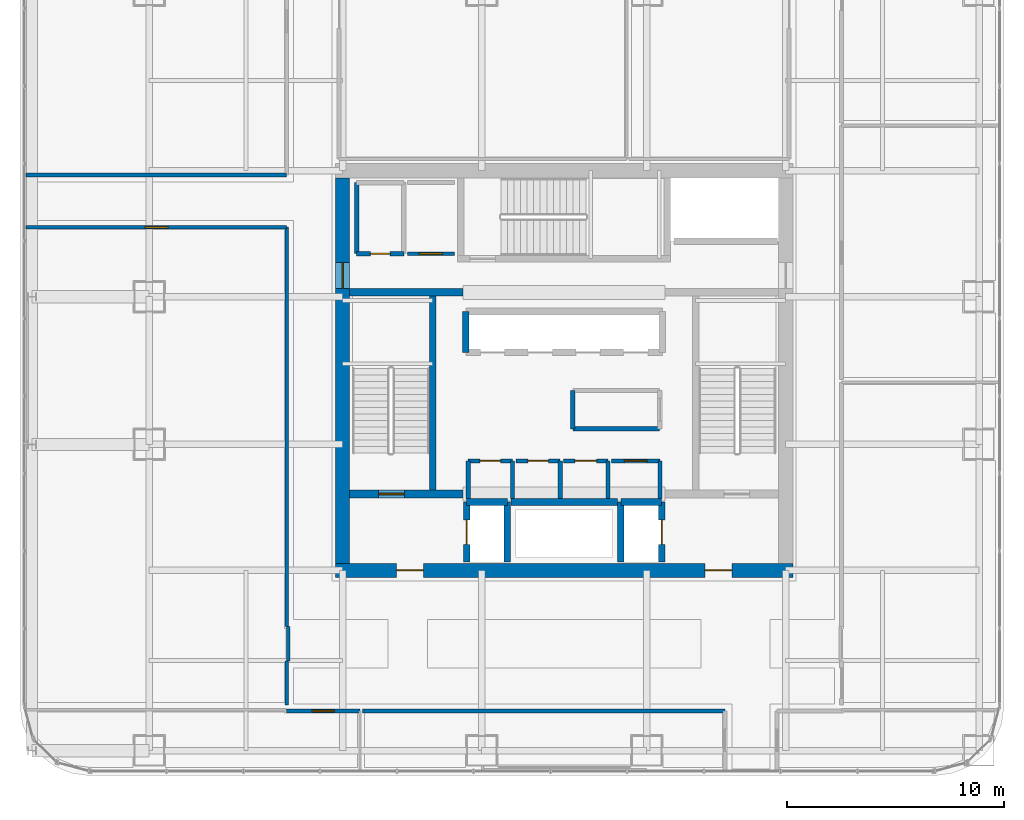
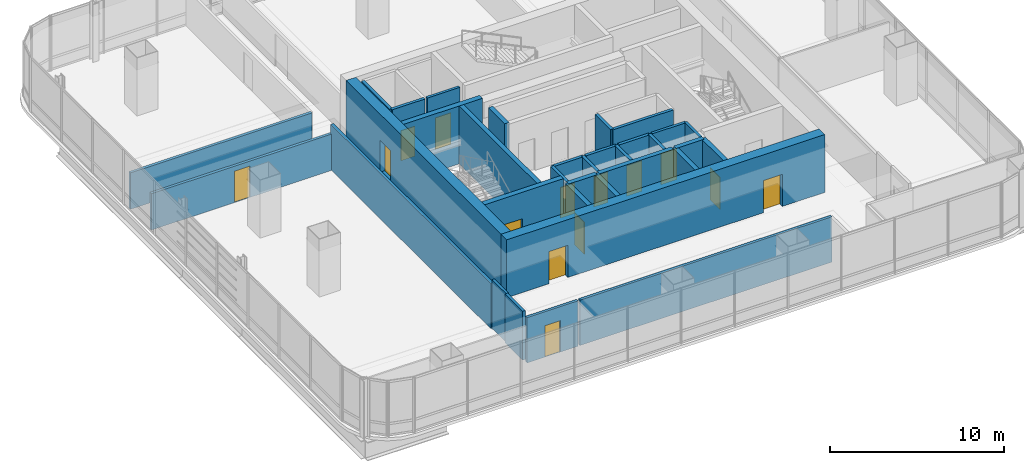
# One storey, part 30 of 38: 34 walls, 14 doors, 14 openings.
"""IFC4 building model written with IfcOpenShell, lengths in metres."""

import ifcopenshell
import ifcopenshell.guid

model = None  # the IFC model being written
_history = None  # IfcOwnerHistory: only IFC2X3 demands one
_inside = {}  # id of a spatial element -> (the spatial element, [elements in it])
_under = {}  # id of a project, library or spatial element -> (it, [spatial elements below it])
_declared = {}  # id of a project -> (the project, [libraries it declares])
_typed = {}  # id of a type object -> (the type object, [elements of that type])
_made_of = {}  # id of a material, layer set ... -> (it, [elements and type objects made of it])


def new_model(schema):
    """Start an empty IFC model of exactly this schema.

    Asked for "IFC4X3", IfcOpenShell would pick the latest addendum, in which some entities
    have other attributes; the version numbers below select the first issue.
    IFC2X3 requires an IfcOwnerHistory on every rooted entity: one is made here for all.
    """
    global model, _history
    if schema == "IFC4X3":
        model = ifcopenshell.file(schema_version=(4, 3, 0, 0))
    else:
        model = ifcopenshell.file(schema=schema)
    _inside.clear()
    _under.clear()
    _declared.clear()
    _typed.clear()
    _made_of.clear()
    _history = None
    if model.schema == "IFC2X3":
        org = make("IfcOrganization", Name="unknown")
        user = make(
            "IfcPersonAndOrganization",
            ThePerson=make("IfcPerson", FamilyName="unknown"),
            TheOrganization=org,
        )
        app = make(
            "IfcApplication",
            ApplicationDeveloper=org,
            Version="unknown",
            ApplicationFullName="unknown",
            ApplicationIdentifier="unknown",
        )
        _history = make(
            "IfcOwnerHistory",
            OwningUser=user,
            OwningApplication=app,
            ChangeAction="ADDED",
            CreationDate=0,
        )
    return model


def make(cls, **values):
    """One entity of the class cls with the attributes given. An attribute that is None is left unset."""
    return model.create_entity(
        cls, **{name: value for name, value in values.items() if value is not None}
    )


def rooted(cls, **values):
    """An entity with a GlobalId (a new one), such as an element, a storey or a relation."""
    return make(cls, GlobalId=ifcopenshell.guid.new(), OwnerHistory=_history, **values)


def si_unit(unit_type, name, prefix=None):
    """IfcSIUnit, for example si_unit("LENGTHUNIT", "METRE", prefix="MILLI")."""
    return make("IfcSIUnit", UnitType=unit_type, Prefix=prefix, Name=name)


def assignment(units):
    """IfcUnitAssignment: the units of a project."""
    return None if units is None else make("IfcUnitAssignment", Units=units)


def point(xyz):
    """IfcCartesianPoint."""
    return None if xyz is None else make("IfcCartesianPoint", Coordinates=xyz)


def direction(xyz):
    """IfcDirection."""
    return None if xyz is None else make("IfcDirection", DirectionRatios=xyz)


def frame(location, z_axis=None, x_axis=None):
    """IfcAxis2Placement3D, a coordinate frame: its origin and axes. An axis left out is left unset."""
    return make(
        "IfcAxis2Placement3D",
        Location=point(location),
        Axis=direction(z_axis),
        RefDirection=direction(x_axis),
    )


def frame_2d(location, x_axis=None):
    """IfcAxis2Placement2D, a coordinate frame in the plane: its origin and x axis."""
    return make(
        "IfcAxis2Placement2D", Location=point(location), RefDirection=direction(x_axis)
    )


def origin():
    """The frame at (0, 0, 0) with its axes left unset."""
    return frame((0.0, 0.0, 0.0))


def place(relative_to, where):
    """IfcLocalPlacement: puts the frame where relative to a parent placement (None: the world)."""
    return make(
        "IfcLocalPlacement", PlacementRelTo=relative_to, RelativePlacement=where
    )


def context(
    kind, dimensions, precision=None, world=None, true_north=None, identifier=None
):
    """IfcGeometricRepresentationContext, for example the 3D "Model" context."""
    return make(
        "IfcGeometricRepresentationContext",
        ContextIdentifier=identifier,
        ContextType=kind,
        CoordinateSpaceDimension=dimensions,
        Precision=precision,
        WorldCoordinateSystem=world,
        TrueNorth=true_north,
    )


def subcontext(parent, identifier, kind, view, scale=None):
    """IfcGeometricRepresentationSubContext, for example "Body" below "Model"."""
    return make(
        "IfcGeometricRepresentationSubContext",
        ContextIdentifier=identifier,
        ContextType=kind,
        ParentContext=parent,
        TargetScale=scale,
        TargetView=view,
    )


def project(units=None, contexts=None):
    """IfcProject with its units and contexts."""
    return rooted(
        "IfcProject",
        Name="project",
        RepresentationContexts=contexts,
        UnitsInContext=assignment(units),
    )


def spatial(cls, under=None, at=None, **own):
    """A site, building, storey or space (cls), placed at a placement, below another one or the project."""
    s = rooted(cls, ObjectPlacement=at, **own)
    if under is not None:
        _under.setdefault(under.id(), (under, []))[1].append(s)
    return s


def profile(cls, at=None, kind="AREA", **sizes):
    """A parametric profile (cls). Its sizes go by their IFC names, for example OverallWidth=200.0."""
    return make(cls, ProfileType=kind, Position=at, **sizes)


def rectangle(**sizes):
    """IfcRectangleProfileDef."""
    return profile("IfcRectangleProfileDef", **sizes)


def extrude(swept, where, along, depth):
    """IfcExtrudedAreaSolid: the profile swept, set in the frame where, extruded along a direction by depth."""
    return make(
        "IfcExtrudedAreaSolid",
        SweptArea=swept,
        Position=where,
        ExtrudedDirection=direction(along),
        Depth=depth,
    )


def shape(context_of_items, identifier, shape_type, items):
    """IfcShapeRepresentation: the items that make up one representation, for example the "Body"."""
    return make(
        "IfcShapeRepresentation",
        ContextOfItems=context_of_items,
        RepresentationIdentifier=identifier,
        RepresentationType=shape_type,
        Items=items,
    )


def material(Name=None, Category=None):
    """IfcMaterial."""
    return make("IfcMaterial", Name=Name, Category=Category)


def layer(
    of_material, thickness, ventilated=None, Name=None, Category=None, Priority=None
):
    """IfcMaterialLayer: one layer of a wall or slab, of a material (None: an air gap)."""
    return make(
        "IfcMaterialLayer",
        Material=of_material,
        LayerThickness=thickness,
        IsVentilated=ventilated,
        Name=Name,
        Category=Category,
        Priority=Priority,
    )


def layer_set(layers, Name=None):
    """IfcMaterialLayerSet."""
    return make("IfcMaterialLayerSet", MaterialLayers=layers, LayerSetName=Name)


def made_of(thing, what):
    """Note that an element or type object is made of a material, layer set ...; save() writes the relation."""
    if what is not None:
        _made_of.setdefault(what.id(), (what, []))[1].append(thing)
    return thing


def type_object(cls, material=None, **own):
    """A type object (cls), such as IfcWallType, which elements share."""
    return made_of(rooted(cls, **own), material)


def element(
    cls,
    number,
    at=None,
    inside=None,
    cuts=None,
    type_object=None,
    material=None,
    context=None,
    identifier="Body",
    shape_type=None,
    held_by="IfcProductDefinitionShape",
    body=None,
    shapes=None,
    **own,
):
    """One element of the class cls, such as IfcWall. Its Tag is "e" and its number.

    at: its placement. inside: the storey or other place that contains it. cuts: it is an
    opening in that element (IfcRelVoidsElement). A single representation is given by context,
    identifier, shape_type and body (its items); several are given by shapes. held_by: the class
    of the entity that holds the representations. save() writes the other relations.
    """
    e = rooted(cls, Tag="e%d" % number, ObjectPlacement=at, **own)
    if body is not None:
        shapes = [shape(context, identifier, shape_type, body)]
    if shapes is not None:
        e.Representation = make(held_by, Representations=shapes)
    if inside is not None:
        _inside.setdefault(inside.id(), (inside, []))[1].append(e)
    if cuts is not None:
        rooted(
            "IfcRelVoidsElement", RelatingBuildingElement=cuts, RelatedOpeningElement=e
        )
    if type_object is not None:
        _typed.setdefault(type_object.id(), (type_object, []))[1].append(e)
    return made_of(e, material)


def fill(opening, filler):
    """IfcRelFillsElement: the door or window that sits in an opening."""
    return rooted(
        "IfcRelFillsElement",
        RelatingOpeningElement=opening,
        RelatedBuildingElement=filler,
    )


def aggregate(whole, parts):
    """IfcRelAggregates: a whole, such as a stair, and the parts it consists of."""
    return rooted("IfcRelAggregates", RelatingObject=whole, RelatedObjects=parts)


def save(model, path):
    """Write the relations noted so far, then the file.

    IfcRelAggregates (storeys below a building ...), IfcRelContainedInSpatialStructure (elements
    in a storey), IfcRelDefinesByType, IfcRelAssociatesMaterial and IfcRelDeclares: one each for
    every whole, place, type object, material and project.
    """
    for whole, parts in _under.values():
        aggregate(whole, parts)
    for where, things in _inside.values():
        rooted(
            "IfcRelContainedInSpatialStructure",
            RelatedElements=things,
            RelatingStructure=where,
        )
    for kind, things in _typed.values():
        rooted("IfcRelDefinesByType", RelatedObjects=things, RelatingType=kind)
    for what, things in _made_of.values():
        rooted("IfcRelAssociatesMaterial", RelatedObjects=things, RelatingMaterial=what)
    for by, libraries in _declared.values():
        rooted("IfcRelDeclares", RelatingContext=by, RelatedDefinitions=libraries)
    model.write(path)


model = new_model("IFC4")

# Units and contexts
model_context = context("Model", 3, precision=1e-05, world=origin(), true_north=direction((0.0, 1.0)))
body_context = subcontext(model_context, "Body", "Model", "MODEL_VIEW")
ifc_project = project(units=[si_unit("LENGTHUNIT", "METRE"), si_unit("AREAUNIT", "SQUARE_METRE"), si_unit("VOLUMEUNIT", "CUBIC_METRE"), si_unit("PLANEANGLEUNIT", "RADIAN"), si_unit("MASSUNIT", "GRAM", prefix="KILO")], contexts=[model_context])

# Site, building, storey
site_placement = place(None, origin())
site = spatial("IfcSite", under=ifc_project, at=site_placement, CompositionType="ELEMENT")
building_placement = place(site_placement, origin())
building = spatial("IfcBuilding", under=site, at=building_placement, Name="Punatoya Terracotta Tower", CompositionType="ELEMENT")
storey_placement = place(building_placement, frame((0.0, 0.0, 160.050048828125)))
storey = spatial("IfcBuildingStorey", under=building, at=storey_placement, Name="L37", CompositionType="ELEMENT", Elevation=160.050048828125)

# Wall, openings, doors
ifc_material_1 = material(Name="Concrete C60/75", Category="concrete")
ifc_layer_1 = layer(ifc_material_1, 0.64990234375)
ifc_layer_set_1 = layer_set([ifc_layer_1], Name="Concrete C60/75")
wall_type_1 = type_object("IfcWallType", Name="WL-COR-650", PredefinedType="SHEAR", material=ifc_layer_set_1)
wall_1_placement = place(storey_placement, frame((10.52490234375, -9.199951171875, 0.0), z_axis=(0.0, 0.0, 1.0), x_axis=(-1.0, 0.0, 0.0)))
wall_1 = element("IfcWall", 1, at=wall_1_placement, inside=storey, type_object=wall_type_1, Name="L37 Core Shear Wall S", PredefinedType="SHEAR", context=body_context, shape_type="SweptSolid", body=[
    extrude(rectangle(XDim=21.0498046875, YDim=0.64990234375, at=frame_2d((10.52490234375, 0.0))), origin(), (0.0, 0.0, 1.0), 4.050048828125),
])
opening_1_placement = place(wall_1_placement, frame((2.800048828125, 0.0, 0.0)))
opening_1 = element("IfcOpeningElement", 2, at=opening_1_placement, cuts=wall_1, Name="Opening FD-L1", PredefinedType="OPENING", context=body_context, shape_type="SweptSolid", body=[
    extrude(rectangle(XDim=1.25, YDim=2.25, at=frame_2d((0.625, 1.125))), frame((0.0, 0.3349609375, 0.0), z_axis=(0.0, -1.0, 0.0), x_axis=(1.0, 0.0, 0.0)), (0.0, 0.0, 1.0), 0.669921875),
])
opening_2_placement = place(wall_1_placement, frame((17.0, 0.0, 0.0)))
opening_2 = element("IfcOpeningElement", 3, at=opening_2_placement, cuts=wall_1, Name="Opening FD-L1", PredefinedType="OPENING", context=body_context, shape_type="SweptSolid", body=[
    extrude(rectangle(XDim=1.25, YDim=2.25, at=frame_2d((0.625, 1.125))), frame((0.0, 0.3349609375, 0.0), z_axis=(0.0, -1.0, 0.0), x_axis=(1.0, 0.0, 0.0)), (0.0, 0.0, 1.0), 0.669921875),
])
ifc_material_2 = material(Name="Galvanised Steel Smokeproof Fire Door", Category="steel")
door_type_1 = type_object("IfcDoorType", Name="DR-FFL-1250", OperationType="NOTDEFINED", PredefinedType="DOOR", material=ifc_material_2)
door_1_placement = place(opening_1_placement, origin())
door_1 = element("IfcDoor", 4, at=door_1_placement, inside=storey, type_object=door_type_1, Name="L37 East Firefighting Lobby Corridor Fire Door", OperationType="SINGLE_SWING_LEFT", OverallHeight=2.25, OverallWidth=1.25, PredefinedType="DOOR", context=body_context, shape_type="SweptSolid", body=[
    extrude(rectangle(XDim=1.25, YDim=2.25, at=frame_2d((0.625, 1.125))), frame((0.0, 0.02490234375, 0.0), z_axis=(0.0, -1.0, 0.0), x_axis=(1.0, 0.0, 0.0)), (0.0, 0.0, 1.0), 0.050048828125),
])
fill(opening_1, door_1)
door_2_placement = place(opening_2_placement, origin())
door_2 = element("IfcDoor", 5, at=door_2_placement, inside=storey, type_object=door_type_1, Name="L37 West Firefighting Lobby Corridor Fire Door", OperationType="SINGLE_SWING_RIGHT", OverallHeight=2.25, OverallWidth=1.25, PredefinedType="DOOR", context=body_context, shape_type="SweptSolid", body=[
    extrude(rectangle(XDim=1.25, YDim=2.25, at=frame_2d((0.625, 1.125))), frame((0.0, 0.02490234375, 0.0), z_axis=(0.0, -1.0, 0.0), x_axis=(1.0, 0.0, 0.0)), (0.0, 0.0, 1.0), 0.050048828125),
])
fill(opening_2, door_2)

# Wall, opening, door
wall_2_placement = place(storey_placement, frame((-10.199951171875, -8.875, 0.0), z_axis=(0.0, 0.0, 1.0), x_axis=(0.0, 1.0, 0.0)))
wall_2 = element("IfcWall", 6, at=wall_2_placement, inside=storey, type_object=wall_type_1, Name="L37 Core Shear Wall W", PredefinedType="SHEAR", context=body_context, shape_type="SweptSolid", body=[
    extrude(rectangle(XDim=17.75, YDim=0.64990234375, at=frame_2d((8.875, 0.0))), origin(), (0.0, 0.0, 1.0), 4.050048828125),
])
opening_3_placement = place(wall_2_placement, frame((12.6650390625, 0.0, 0.0)))
opening_3 = element("IfcOpeningElement", 7, at=opening_3_placement, cuts=wall_2, Name="Opening SD-01", PredefinedType="OPENING", context=body_context, shape_type="SweptSolid", body=[
    extrude(rectangle(XDim=1.179931640625, YDim=2.199951171875, at=frame_2d((0.58984375, 1.10009765625))), frame((0.0, 0.3349609375, 0.0), z_axis=(0.0, -1.0, 0.0), x_axis=(1.0, 0.0, 0.0)), (0.0, 0.0, 1.0), 0.669921875),
])
ifc_material_3 = material(Name="Galvanised Steel Pressurized Stair Fire Door", Category="steel")
door_type_2 = type_object("IfcDoorType", Name="DR-STR-1180", OperationType="NOTDEFINED", PredefinedType="DOOR", material=ifc_material_3)
door_3_placement = place(opening_3_placement, origin())
door_3 = element("IfcDoor", 8, at=door_3_placement, inside=storey, type_object=door_type_2, Name="L37 Central Lift Lobby West Fire Door", OperationType="SINGLE_SWING_LEFT", OverallHeight=2.199951171875, OverallWidth=1.179931640625, PredefinedType="DOOR", context=body_context, shape_type="SweptSolid", body=[
    extrude(rectangle(XDim=1.179931640625, YDim=2.199951171875, at=frame_2d((0.58984375, 1.10009765625))), frame((0.0, 0.02490234375, 0.0), z_axis=(0.0, -1.0, 0.0), x_axis=(1.0, 0.0, 0.0)), (0.0, 0.0, 1.0), 0.050048828125),
])
fill(opening_3, door_3)

# Wall
ifc_material_4 = material(Name="Gypsum Fireboard + Steel Stud", Category="steel")
ifc_layer_2 = layer(ifc_material_4, 0.179931640625)
ifc_layer_set_2 = layer_set([ifc_layer_2], Name="Gypsum Fireboard + Steel Stud")
wall_type_2 = type_object("IfcWallType", Name="WL-CORR-180", PredefinedType="PARTITIONING", material=ifc_layer_set_2)
wall_3_placement = place(storey_placement, frame((4.419921875, -5.89990234375, 0.0), z_axis=(0.0, 0.0, 1.0), x_axis=(0.0, 1.0, 0.0)))
element("IfcWall", 9, at=wall_3_placement, inside=storey, type_object=wall_type_2, Name="L37 Core Reprographics Studio Partition 08", PredefinedType="PARTITIONING", context=body_context, shape_type="SweptSolid", body=[
    extrude(rectangle(XDim=1.739990234375, YDim=0.179931640625, at=frame_2d((0.8701171875, 0.0))), origin(), (0.0, 0.0, 1.0), 3.829833984375),
])

# Wall, opening, door
wall_4_placement = place(storey_placement, frame((4.419921875, -4.159912109375, 0.0), z_axis=(0.0, 0.0, 1.0), x_axis=(-1.0, 0.0, 0.0)))
wall_4 = element("IfcWall", 10, at=wall_4_placement, inside=storey, type_object=wall_type_2, Name="L37 Core Reprographics Studio Partition 09", PredefinedType="PARTITIONING", context=body_context, shape_type="SweptSolid", body=[
    extrude(rectangle(XDim=2.239990234375, YDim=0.179931640625, at=frame_2d((1.1201171875, 0.0))), origin(), (0.0, 0.0, 1.0), 3.829833984375),
])
opening_4_placement = place(wall_4_placement, frame((0.594970703125, 0.0, 0.0)))
opening_4 = element("IfcOpeningElement", 11, at=opening_4_placement, cuts=wall_4, Name="Opening OD-01", PredefinedType="OPENING", context=body_context, shape_type="SweptSolid", body=[
    extrude(rectangle(XDim=1.050048828125, YDim=2.199951171875, at=frame_2d((0.52490234375, 1.10009765625))), frame((0.0, 0.099853515625, 0.0), z_axis=(0.0, -1.0, 0.0), x_axis=(1.0, 0.0, 0.0)), (0.0, 0.0, 1.0), 0.199951171875),
])
ifc_material_5 = material(Name="Bengal Teak Solid-Core Leaf")
door_type_3 = type_object("IfcDoorType", Name="DR-OFF-1050", OperationType="NOTDEFINED", PredefinedType="DOOR", material=ifc_material_5)
door_4_placement = place(opening_4_placement, origin())
door_4 = element("IfcDoor", 12, at=door_4_placement, inside=storey, type_object=door_type_3, Name="L37 Reprographics Studio Door", OperationType="SINGLE_SWING_LEFT", OverallHeight=2.199951171875, OverallWidth=1.050048828125, PredefinedType="DOOR", context=body_context, shape_type="SweptSolid", body=[
    extrude(rectangle(XDim=1.050048828125, YDim=2.199951171875, at=frame_2d((0.52490234375, 1.10009765625))), frame((0.0, 0.02490234375, 0.0), z_axis=(0.0, -1.0, 0.0), x_axis=(1.0, 0.0, 0.0)), (0.0, 0.0, 1.0), 0.050048828125),
])
fill(opening_4, door_4)

wall_5_placement = place(storey_placement, frame((-7.219970703125, 5.3798828125, 0.0), z_axis=(0.0, 0.0, 1.0), x_axis=(1.0, 0.0, 0.0)))
wall_5 = element("IfcWall", 13, at=wall_5_placement, inside=storey, type_object=wall_type_2, Name="L37 West Core Print Room Partition 19", PredefinedType="PARTITIONING", context=body_context, shape_type="SweptSolid", body=[
    extrude(rectangle(XDim=2.169921875, YDim=0.179931640625, at=frame_2d((1.0849609375, 0.0))), origin(), (0.0, 0.0, 1.0), 3.829833984375),
])
opening_5_placement = place(wall_5_placement, frame((0.56005859375, 0.0, 0.0)))
opening_5 = element("IfcOpeningElement", 14, at=opening_5_placement, cuts=wall_5, Name="Opening OD-01", PredefinedType="OPENING", context=body_context, shape_type="SweptSolid", body=[
    extrude(rectangle(XDim=1.050048828125, YDim=2.199951171875, at=frame_2d((0.52490234375, 1.10009765625))), frame((0.0, 0.099853515625, 0.0), z_axis=(0.0, -1.0, 0.0), x_axis=(1.0, 0.0, 0.0)), (0.0, 0.0, 1.0), 0.199951171875),
])
door_5_placement = place(opening_5_placement, origin())
door_5 = element("IfcDoor", 15, at=door_5_placement, inside=storey, type_object=door_type_3, Name="L37 West Print Room Door", OperationType="SINGLE_SWING_RIGHT", OverallHeight=2.199951171875, OverallWidth=1.050048828125, PredefinedType="DOOR", context=body_context, shape_type="SweptSolid", body=[
    extrude(rectangle(XDim=1.050048828125, YDim=2.199951171875, at=frame_2d((0.52490234375, 1.10009765625))), frame((0.0, 0.02490234375, 0.0), z_axis=(0.0, -1.0, 0.0), x_axis=(1.0, 0.0, 0.0)), (0.0, 0.0, 1.0), 0.050048828125),
])
fill(opening_5, door_5)

wall_6_placement = place(storey_placement, frame((-12.77001953125, -15.669921875, 0.0), z_axis=(0.0, 0.0, 1.0), x_axis=(1.0, 0.0, 0.0)))
wall_6 = element("IfcWall", 16, at=wall_6_placement, inside=storey, type_object=wall_type_2, Name="L37 Open-Plan Plenary Seminar Room Partition 21", PredefinedType="PARTITIONING", context=body_context, shape_type="SweptSolid", body=[
    extrude(rectangle(XDim=3.364990234375, YDim=0.179931640625, at=frame_2d((1.6826171875, 0.0))), origin(), (0.0, 0.0, 1.0), 3.174072265625),
])
opening_6_placement = place(wall_6_placement, frame((1.172607421875, 0.0, 0.0)))
opening_6 = element("IfcOpeningElement", 17, at=opening_6_placement, cuts=wall_6, Name="Opening MD-01", PredefinedType="OPENING", context=body_context, shape_type="SweptSolid", body=[
    extrude(rectangle(XDim=1.02001953125, YDim=2.199951171875, at=frame_2d((0.510009765625, 1.10009765625))), frame((0.0, 0.099853515625, 0.0), z_axis=(0.0, -1.0, 0.0), x_axis=(1.0, 0.0, 0.0)), (0.0, 0.0, 1.0), 0.199951171875),
])
ifc_material_6 = material(Name="Aluminium + Acoustic Glass Leaf", Category="aluminium")
door_type_4 = type_object("IfcDoorType", Name="DR-MTG-1020", OperationType="NOTDEFINED", PredefinedType="DOOR", material=ifc_material_6)
door_6_placement = place(opening_6_placement, origin())
door_6 = element("IfcDoor", 18, at=door_6_placement, inside=storey, type_object=door_type_4, Name="L37 Open-Plan Plenary Seminar Room Door", OperationType="SINGLE_SWING_LEFT", OverallHeight=2.199951171875, OverallWidth=1.02001953125, PredefinedType="DOOR", context=body_context, shape_type="SweptSolid", body=[
    extrude(rectangle(XDim=1.02001953125, YDim=2.199951171875, at=frame_2d((0.510009765625, 1.10009765625))), frame((0.0, 0.02490234375, 0.0), z_axis=(0.0, -1.0, 0.0), x_axis=(1.0, 0.0, 0.0)), (0.0, 0.0, 1.0), 0.050048828125),
])
fill(opening_6, door_6)

# Wall
wall_7_placement = place(storey_placement, frame((-9.284912109375, -15.669921875, 0.0), z_axis=(0.0, 0.0, 1.0), x_axis=(1.0, 0.0, 0.0)))
element("IfcWall", 19, at=wall_7_placement, inside=storey, type_object=wall_type_2, Name="L37 Open-Plan Client Strategy Boardroom Partition 24", PredefinedType="PARTITIONING", context=body_context, shape_type="SweptSolid", body=[
    extrude(rectangle(XDim=16.684814453125, YDim=0.179931640625, at=frame_2d((8.34228515625, 0.0))), origin(), (0.0, 0.0, 1.0), 3.174072265625),
])

# Wall, opening, door
wall_8_placement = place(storey_placement, frame((-24.77001953125, 6.60009765625, 0.0), z_axis=(0.0, 0.0, 1.0), x_axis=(1.0, 0.0, 0.0)))
wall_8 = element("IfcWall", 20, at=wall_8_placement, inside=storey, type_object=wall_type_2, Name="L37 Breakout Tea Pantry Partition 32", PredefinedType="PARTITIONING", context=body_context, shape_type="SweptSolid", body=[
    extrude(rectangle(XDim=12.0, YDim=0.179931640625, at=frame_2d((6.0, 0.0))), origin(), (0.0, 0.0, 1.0), 2.5439453125),
])
opening_7_placement = place(wall_8_placement, frame((5.47509765625, 0.0, 0.0)))
opening_7 = element("IfcOpeningElement", 21, at=opening_7_placement, cuts=wall_8, Name="Opening OD-01", PredefinedType="OPENING", context=body_context, shape_type="SweptSolid", body=[
    extrude(rectangle(XDim=1.050048828125, YDim=2.199951171875, at=frame_2d((0.52490234375, 1.10009765625))), frame((0.0, 0.099853515625, 0.0), z_axis=(0.0, -1.0, 0.0), x_axis=(1.0, 0.0, 0.0)), (0.0, 0.0, 1.0), 0.199951171875),
])
door_7_placement = place(opening_7_placement, origin())
door_7 = element("IfcDoor", 22, at=door_7_placement, inside=storey, type_object=door_type_3, Name="L37 Breakout Tea Pantry Door", OperationType="SINGLE_SWING_LEFT", OverallHeight=2.199951171875, OverallWidth=1.050048828125, PredefinedType="DOOR", context=body_context, shape_type="SweptSolid", body=[
    extrude(rectangle(XDim=1.050048828125, YDim=2.199951171875, at=frame_2d((0.52490234375, 1.10009765625))), frame((0.0, 0.02490234375, 0.0), z_axis=(0.0, -1.0, 0.0), x_axis=(1.0, 0.0, 0.0)), (0.0, 0.0, 1.0), 0.050048828125),
])
fill(opening_7, door_7)

# Walls
wall_9_placement = place(storey_placement, frame((-12.77001953125, 6.60009765625, 0.0), z_axis=(0.0, 0.0, 1.0), x_axis=(0.0, -1.0, 0.0)))
element("IfcWall", 23, at=wall_9_placement, inside=storey, type_object=wall_type_2, Name="L37 Breakout Tea Pantry Partition 33", PredefinedType="PARTITIONING", context=body_context, shape_type="SweptSolid", body=[
    extrude(rectangle(XDim=18.3701171875, YDim=0.179931640625, at=frame_2d((9.18505859375, 0.0))), origin(), (0.0, 0.0, 1.0), 3.174072265625),
])
wall_10_placement = place(storey_placement, frame((-12.77001953125, -13.3798828125, 0.0), z_axis=(0.0, 0.0, 1.0), x_axis=(0.0, -1.0, 0.0)))
element("IfcWall", 24, at=wall_10_placement, inside=storey, type_object=wall_type_2, Name="L37 Breakout Tea Pantry Partition 35", PredefinedType="PARTITIONING", context=body_context, shape_type="SweptSolid", body=[
    extrude(rectangle(XDim=2.010009765625, YDim=0.179931640625, at=frame_2d((1.0048828125, 0.0))), origin(), (0.0, 0.0, 1.0), 3.424072265625),
])
wall_11_placement = place(storey_placement, frame((-12.77001953125, 9.0, 0.0), z_axis=(0.0, 0.0, 1.0), x_axis=(-1.0, 0.0, 0.0)))
element("IfcWall", 25, at=wall_11_placement, inside=storey, type_object=wall_type_2, Name="L37 Wellness Focus Room Partition 39", PredefinedType="PARTITIONING", context=body_context, shape_type="SweptSolid", body=[
    extrude(rectangle(XDim=12.0, YDim=0.179931640625, at=frame_2d((6.0, 0.0))), origin(), (0.0, 0.0, 1.0), 2.5439453125),
])
ifc_material_7 = material(Name="Concrete C40/50", Category="concrete")
ifc_layer_3 = layer(ifc_material_7, 0.199951171875)
ifc_layer_set_3 = layer_set([ifc_layer_3], Name="Concrete C40/50")
wall_type_3 = type_object("IfcWallType", Name="WL-INT-200", PredefinedType="SOLIDWALL", material=ifc_layer_set_3)
wall_12_placement = place(storey_placement, frame((-2.3798828125, -5.89990234375, 0.0), z_axis=(0.0, 0.0, 1.0), x_axis=(0.0, 1.0, 0.0)))
element("IfcWall", 26, at=wall_12_placement, inside=storey, type_object=wall_type_3, Name="L37 Male Washroom Partition 01", PredefinedType="SOLIDWALL", context=body_context, shape_type="SweptSolid", body=[
    extrude(rectangle(XDim=1.739990234375, YDim=0.199951171875, at=frame_2d((0.8701171875, 0.0))), origin(), (0.0, 0.0, 1.0), 3.829833984375),
])

# Wall, opening, door
wall_13_placement = place(storey_placement, frame((-2.3798828125, -4.159912109375, 0.0), z_axis=(0.0, 0.0, 1.0), x_axis=(-1.0, 0.0, 0.0)))
wall_13 = element("IfcWall", 27, at=wall_13_placement, inside=storey, type_object=wall_type_3, Name="L37 Male Washroom Partition 02", PredefinedType="SOLIDWALL", context=body_context, shape_type="SweptSolid", body=[
    extrude(rectangle(XDim=2.0400390625, YDim=0.199951171875, at=frame_2d((1.02001953125, 0.0))), origin(), (0.0, 0.0, 1.0), 3.829833984375),
])
opening_8_placement = place(wall_13_placement, frame((0.544921875, 0.0, 0.0)))
opening_8 = element("IfcOpeningElement", 28, at=opening_8_placement, cuts=wall_13, Name="Opening WD-01", PredefinedType="OPENING", context=body_context, shape_type="SweptSolid", body=[
    extrude(rectangle(XDim=0.949951171875, YDim=2.14990234375, at=frame_2d((0.47509765625, 1.074951171875))), frame((0.0, 0.10986328125, 0.0), z_axis=(0.0, -1.0, 0.0), x_axis=(1.0, 0.0, 0.0)), (0.0, 0.0, 1.0), 0.219970703125),
])
ifc_material_8 = material(Name="Moisture-Resistant Laminate Timber Leaf", Category="wood")
door_type_5 = type_object("IfcDoorType", Name="DR-WC-950", OperationType="NOTDEFINED", PredefinedType="DOOR", material=ifc_material_8)
door_8_placement = place(opening_8_placement, origin())
door_8 = element("IfcDoor", 29, at=door_8_placement, inside=storey, type_object=door_type_5, Name="L37 Male Washroom Door", OperationType="SINGLE_SWING_RIGHT", OverallHeight=2.14990234375, OverallWidth=0.949951171875, PredefinedType="DOOR", context=body_context, shape_type="SweptSolid", body=[
    extrude(rectangle(XDim=0.949951171875, YDim=2.14990234375, at=frame_2d((0.47509765625, 1.074951171875))), frame((0.0, 0.02490234375, 0.0), z_axis=(0.0, -1.0, 0.0), x_axis=(1.0, 0.0, 0.0)), (0.0, 0.0, 1.0), 0.050048828125),
])
fill(opening_8, door_8)

# Walls
for number, where, z_axis, x_axis, name in (
    (30, (-4.419921875, -4.159912109375, 0.0), (0.0, 0.0, 1.0), (0.0, -1.0, 0.0), "L37 Male Washroom Partition 03"),
    (31, (-0.179931640625, -5.89990234375, 0.0), (0.0, 0.0, 1.0), (0.0, 1.0, 0.0), "L37 Female Washroom Partition 04"),
):
    element("IfcWall", number, at=place(storey_placement, frame(where, z_axis=z_axis, x_axis=x_axis)), inside=storey, type_object=wall_type_3, Name=name, PredefinedType="SOLIDWALL", context=body_context, shape_type="SweptSolid", body=[
        extrude(rectangle(XDim=1.739990234375, YDim=0.199951171875, at=frame_2d((0.8701171875, 0.0))), origin(), (0.0, 0.0, 1.0), 3.829833984375),
    ])

# Wall, opening, door
wall_14_placement = place(storey_placement, frame((-0.179931640625, -4.159912109375, 0.0), z_axis=(0.0, 0.0, 1.0), x_axis=(-1.0, 0.0, 0.0)))
wall_14 = element("IfcWall", 32, at=wall_14_placement, inside=storey, type_object=wall_type_3, Name="L37 Female Washroom Partition 05", PredefinedType="SOLIDWALL", context=body_context, shape_type="SweptSolid", body=[
    extrude(rectangle(XDim=2.0400390625, YDim=0.199951171875, at=frame_2d((1.02001953125, 0.0))), origin(), (0.0, 0.0, 1.0), 3.829833984375),
])
opening_9_placement = place(wall_14_placement, frame((0.544921875, 0.0, 0.0)))
opening_9 = element("IfcOpeningElement", 33, at=opening_9_placement, cuts=wall_14, Name="Opening WD-01", PredefinedType="OPENING", context=body_context, shape_type="SweptSolid", body=[
    extrude(rectangle(XDim=0.949951171875, YDim=2.14990234375, at=frame_2d((0.47509765625, 1.074951171875))), frame((0.0, 0.10986328125, 0.0), z_axis=(0.0, -1.0, 0.0), x_axis=(1.0, 0.0, 0.0)), (0.0, 0.0, 1.0), 0.219970703125),
])
door_9_placement = place(opening_9_placement, origin())
door_9 = element("IfcDoor", 34, at=door_9_placement, inside=storey, type_object=door_type_5, Name="L37 Female Washroom Door", OperationType="SINGLE_SWING_LEFT", OverallHeight=2.14990234375, OverallWidth=0.949951171875, PredefinedType="DOOR", context=body_context, shape_type="SweptSolid", body=[
    extrude(rectangle(XDim=0.949951171875, YDim=2.14990234375, at=frame_2d((0.47509765625, 1.074951171875))), frame((0.0, 0.02490234375, 0.0), z_axis=(0.0, -1.0, 0.0), x_axis=(1.0, 0.0, 0.0)), (0.0, 0.0, 1.0), 0.050048828125),
])
fill(opening_9, door_9)

# Wall
wall_15_placement = place(storey_placement, frame((2.02001953125, -5.89990234375, 0.0), z_axis=(0.0, 0.0, 1.0), x_axis=(0.0, 1.0, 0.0)))
element("IfcWall", 35, at=wall_15_placement, inside=storey, type_object=wall_type_3, Name="L37 Accessible Universal Washroom Partition 06", PredefinedType="SOLIDWALL", context=body_context, shape_type="SweptSolid", body=[
    extrude(rectangle(XDim=1.739990234375, YDim=0.199951171875, at=frame_2d((0.8701171875, 0.0))), origin(), (0.0, 0.0, 1.0), 3.829833984375),
])

# Wall, opening, door
wall_16_placement = place(storey_placement, frame((2.02001953125, -4.159912109375, 0.0), z_axis=(0.0, 0.0, 1.0), x_axis=(-1.0, 0.0, 0.0)))
wall_16 = element("IfcWall", 36, at=wall_16_placement, inside=storey, type_object=wall_type_3, Name="L37 Accessible Universal Washroom Partition 07", PredefinedType="SOLIDWALL", context=body_context, shape_type="SweptSolid", body=[
    extrude(rectangle(XDim=2.0400390625, YDim=0.199951171875, at=frame_2d((1.02001953125, 0.0))), origin(), (0.0, 0.0, 1.0), 3.829833984375),
])
opening_10_placement = place(wall_16_placement, frame((0.52001953125, 0.0, 0.0)))
opening_10 = element("IfcOpeningElement", 37, at=opening_10_placement, cuts=wall_16, Name="Opening AWD-1", PredefinedType="OPENING", context=body_context, shape_type="SweptSolid", body=[
    extrude(rectangle(XDim=1.0, YDim=2.14990234375, at=frame_2d((0.5, 1.074951171875))), frame((0.0, 0.10986328125, 0.0), z_axis=(0.0, -1.0, 0.0), x_axis=(1.0, 0.0, 0.0)), (0.0, 0.0, 1.0), 0.219970703125),
])
ifc_material_9 = material(Name="Bengal Teak Accessible WC Leaf")
door_type_6 = type_object("IfcDoorType", Name="DR-ACC-1000", OperationType="NOTDEFINED", PredefinedType="DOOR", material=ifc_material_9)
door_10_placement = place(opening_10_placement, origin())
door_10 = element("IfcDoor", 38, at=door_10_placement, inside=storey, type_object=door_type_6, Name="L37 Accessible Universal Washroom Door", OperationType="SINGLE_SWING_RIGHT", OverallHeight=2.14990234375, OverallWidth=1.0, PredefinedType="DOOR", context=body_context, shape_type="SweptSolid", body=[
    extrude(rectangle(XDim=1.0, YDim=2.14990234375, at=frame_2d((0.5, 1.074951171875))), frame((0.0, 0.02490234375, 0.0), z_axis=(0.0, -1.0, 0.0), x_axis=(1.0, 0.0, 0.0)), (0.0, 0.0, 1.0), 0.050048828125),
])
fill(opening_10, door_10)

# Walls
wall_17_placement = place(storey_placement, frame((0.39990234375, -0.919921875, 0.0), z_axis=(0.0, 0.0, 1.0), x_axis=(0.0, -1.0, 0.0)))
element("IfcWall", 39, at=wall_17_placement, inside=storey, type_object=wall_type_3, Name="L37 East Core Tea Pantry Partition 12", PredefinedType="SOLIDWALL", context=body_context, shape_type="SweptSolid", body=[
    extrude(rectangle(XDim=1.760009765625, YDim=0.199951171875, at=frame_2d((0.8798828125, 0.0))), origin(), (0.0, 0.0, 1.0), 3.829833984375),
])
wall_18_placement = place(storey_placement, frame((0.39990234375, -2.679931640625, 0.0), z_axis=(0.0, 0.0, 1.0), x_axis=(1.0, 0.0, 0.0)))
element("IfcWall", 40, at=wall_18_placement, inside=storey, type_object=wall_type_3, Name="L37 East Core Tea Pantry Partition 13", PredefinedType="SOLIDWALL", context=body_context, shape_type="SweptSolid", body=[
    extrude(rectangle(XDim=4.0, YDim=0.199951171875, at=frame_2d((2.0, 0.0))), origin(), (0.0, 0.0, 1.0), 3.829833984375),
])
wall_19_placement = place(storey_placement, frame((-9.550048828125, 8.64990234375, 0.0), z_axis=(0.0, 0.0, 1.0), x_axis=(0.0, -1.0, 0.0)))
element("IfcWall", 41, at=wall_19_placement, inside=storey, type_object=wall_type_3, Name="L37 West Core Archive Vault Partition 16", PredefinedType="SOLIDWALL", context=body_context, shape_type="SweptSolid", body=[
    extrude(rectangle(XDim=3.27001953125, YDim=0.199951171875, at=frame_2d((1.635009765625, 0.0))), origin(), (0.0, 0.0, 1.0), 3.829833984375),
])

# Wall, opening, door
wall_20_placement = place(storey_placement, frame((-9.550048828125, 5.3798828125, 0.0), z_axis=(0.0, 0.0, 1.0), x_axis=(1.0, 0.0, 0.0)))
wall_20 = element("IfcWall", 42, at=wall_20_placement, inside=storey, type_object=wall_type_3, Name="L37 West Core Archive Vault Partition 17", PredefinedType="SOLIDWALL", context=body_context, shape_type="SweptSolid", body=[
    extrude(rectangle(XDim=2.170166015625, YDim=0.199951171875, at=frame_2d((1.0849609375, 0.0))), origin(), (0.0, 0.0, 1.0), 3.829833984375),
])
opening_11_placement = place(wall_20_placement, frame((0.625, 0.0, 0.0)))
opening_11 = element("IfcOpeningElement", 43, at=opening_11_placement, cuts=wall_20, Name="Opening FD-R1", PredefinedType="OPENING", context=body_context, shape_type="SweptSolid", body=[
    extrude(rectangle(XDim=0.919921875, YDim=2.10009765625, at=frame_2d((0.4599609375, 1.050048828125))), frame((0.0, 0.10986328125, 0.0), z_axis=(0.0, -1.0, 0.0), x_axis=(1.0, 0.0, 0.0)), (0.0, 0.0, 1.0), 0.219970703125),
])
ifc_material_10 = material(Name="Galvanised Steel Riser Fire Access Door", Category="steel")
door_type_7 = type_object("IfcDoorType", Name="DR-RSR-920", OperationType="NOTDEFINED", PredefinedType="DOOR", material=ifc_material_10)
door_11_placement = place(opening_11_placement, origin())
door_11 = element("IfcDoor", 44, at=door_11_placement, inside=storey, type_object=door_type_7, Name="L37 West Core Archive Vault Fire Door", OperationType="SINGLE_SWING_LEFT", OverallHeight=2.10009765625, OverallWidth=0.919921875, PredefinedType="DOOR", context=body_context, shape_type="SweptSolid", body=[
    extrude(rectangle(XDim=0.919921875, YDim=2.10009765625, at=frame_2d((0.4599609375, 1.050048828125))), frame((0.0, 0.02490234375, 0.0), z_axis=(0.0, -1.0, 0.0), x_axis=(1.0, 0.0, 0.0)), (0.0, 0.0, 1.0), 0.050048828125),
])
fill(opening_11, door_11)

# Wall
ifc_layer_4 = layer(ifc_material_7, 0.300048828125)
ifc_layer_set_4 = layer_set([ifc_layer_4], Name="Concrete C40/50")
wall_type_4 = type_object("IfcWallType", Name="WL-SHF-300", PredefinedType="SOLIDWALL", material=ifc_layer_set_4)
wall_21_placement = place(storey_placement, frame((-6.050048828125, -5.5, 0.0), z_axis=(0.0, 0.0, 1.0), x_axis=(0.0, 1.0, 0.0)))
element("IfcWall", 45, at=wall_21_placement, inside=storey, type_object=wall_type_4, Name="L37 Structural Stair Shaft Wall SW-ST1-E", PredefinedType="SOLIDWALL", context=body_context, shape_type="SweptSolid", body=[
    extrude(rectangle(XDim=8.949951171875, YDim=0.300048828125, at=frame_2d((4.47509765625, 0.0))), origin(), (0.0, 0.0, 1.0), 4.050048828125),
])

# Wall, opening, door
wall_22_placement = place(storey_placement, frame((-4.489990234375, -8.820068359375, 0.0), z_axis=(0.0, 0.0, 1.0), x_axis=(0.0, 1.0, 0.0)))
wall_22 = element("IfcWall", 46, at=wall_22_placement, inside=storey, type_object=wall_type_4, Name="L37 FFL-1 Front Hoistway Wall", PredefinedType="SOLIDWALL", context=body_context, shape_type="SweptSolid", body=[
    extrude(rectangle(XDim=2.77001953125, YDim=0.300048828125, at=frame_2d((1.385009765625, 0.0))), origin(), (0.0, 0.0, 1.0), 3.829833984375),
])
opening_12_placement = place(wall_22_placement, frame((0.824951171875, 0.0, 0.0)))
opening_12 = element("IfcOpeningElement", 47, at=opening_12_placement, cuts=wall_22, Name="Opening LD-02", PredefinedType="OPENING", context=body_context, shape_type="SweptSolid", body=[
    extrude(rectangle(XDim=1.1201171875, YDim=2.25, at=frame_2d((0.56005859375, 1.125))), frame((0.0, 0.159912109375, 0.0), z_axis=(0.0, -1.0, 0.0), x_axis=(1.0, 0.0, 0.0)), (0.0, 0.0, 1.0), 0.320068359375),
])
ifc_material_11 = material(Name="Stainless Steel Lift Landing Door", Category="steel")
door_type_8 = type_object("IfcDoorType", Name="DR-LND-1120", OperationType="NOTDEFINED", PredefinedType="DOOR", material=ifc_material_11)
door_12_placement = place(opening_12_placement, origin())
door_12 = element("IfcDoor", 48, at=door_12_placement, inside=storey, type_object=door_type_8, Name="L37 Firefighting Lift FFL-1 Sliding Landing Door", OperationType="SLIDING_TO_LEFT", OverallHeight=2.25, OverallWidth=1.1201171875, PredefinedType="DOOR", context=body_context, shape_type="SweptSolid", body=[
    extrude(rectangle(XDim=1.1201171875, YDim=2.25, at=frame_2d((0.56005859375, 1.125))), frame((0.0, 0.02490234375, 0.0), z_axis=(0.0, -1.0, 0.0), x_axis=(1.0, 0.0, 0.0)), (0.0, 0.0, 1.0), 0.050048828125),
])
fill(opening_12, door_12)

# Walls
wall_23_placement = place(storey_placement, frame((-2.610107421875, -8.820068359375, 0.0), z_axis=(0.0, 0.0, 1.0), x_axis=(0.0, 1.0, 0.0)))
element("IfcWall", 49, at=wall_23_placement, inside=storey, type_object=wall_type_4, Name="L37 FFL-1 Rear Hoistway Wall", PredefinedType="SOLIDWALL", context=body_context, shape_type="SweptSolid", body=[
    extrude(rectangle(XDim=2.77001953125, YDim=0.300048828125, at=frame_2d((1.385009765625, 0.0))), origin(), (0.0, 0.0, 1.0), 3.829833984375),
])
wall_24_placement = place(storey_placement, frame((-4.489990234375, -6.050048828125, 0.0), z_axis=(0.0, 0.0, 1.0), x_axis=(1.0, 0.0, 0.0)))
element("IfcWall", 50, at=wall_24_placement, inside=storey, type_object=wall_type_4, Name="L37 FFL-1 North Hoistway Wall", PredefinedType="SOLIDWALL", context=body_context, shape_type="SweptSolid", body=[
    extrude(rectangle(XDim=1.8798828125, YDim=0.300048828125, at=frame_2d((0.93994140625, 0.0))), origin(), (0.0, 0.0, 1.0), 3.829833984375),
])

# Wall, opening, door
wall_25_placement = place(storey_placement, frame((4.489990234375, -8.820068359375, 0.0), z_axis=(0.0, 0.0, 1.0), x_axis=(0.0, 1.0, 0.0)))
wall_25 = element("IfcWall", 51, at=wall_25_placement, inside=storey, type_object=wall_type_4, Name="L37 FFL-2 Front Hoistway Wall", PredefinedType="SOLIDWALL", context=body_context, shape_type="SweptSolid", body=[
    extrude(rectangle(XDim=2.77001953125, YDim=0.300048828125, at=frame_2d((1.385009765625, 0.0))), origin(), (0.0, 0.0, 1.0), 3.829833984375),
])
opening_13_placement = place(wall_25_placement, frame((0.824951171875, 0.0, 0.0)))
opening_13 = element("IfcOpeningElement", 52, at=opening_13_placement, cuts=wall_25, Name="Opening LD-02", PredefinedType="OPENING", context=body_context, shape_type="SweptSolid", body=[
    extrude(rectangle(XDim=1.1201171875, YDim=2.25, at=frame_2d((0.56005859375, 1.125))), frame((0.0, 0.159912109375, 0.0), z_axis=(0.0, -1.0, 0.0), x_axis=(1.0, 0.0, 0.0)), (0.0, 0.0, 1.0), 0.320068359375),
])
door_13_placement = place(opening_13_placement, origin())
door_13 = element("IfcDoor", 53, at=door_13_placement, inside=storey, type_object=door_type_8, Name="L37 Firefighting Lift FFL-2 Sliding Landing Door", OperationType="SLIDING_TO_RIGHT", OverallHeight=2.25, OverallWidth=1.1201171875, PredefinedType="DOOR", context=body_context, shape_type="SweptSolid", body=[
    extrude(rectangle(XDim=1.1201171875, YDim=2.25, at=frame_2d((0.56005859375, 1.125))), frame((0.0, 0.02490234375, 0.0), z_axis=(0.0, -1.0, 0.0), x_axis=(1.0, 0.0, 0.0)), (0.0, 0.0, 1.0), 0.050048828125),
])
fill(opening_13, door_13)

# Walls
wall_26_placement = place(storey_placement, frame((2.610107421875, -8.820068359375, 0.0), z_axis=(0.0, 0.0, 1.0), x_axis=(0.0, 1.0, 0.0)))
element("IfcWall", 54, at=wall_26_placement, inside=storey, type_object=wall_type_4, Name="L37 FFL-2 Rear Hoistway Wall", PredefinedType="SOLIDWALL", context=body_context, shape_type="SweptSolid", body=[
    extrude(rectangle(XDim=2.77001953125, YDim=0.300048828125, at=frame_2d((1.385009765625, 0.0))), origin(), (0.0, 0.0, 1.0), 3.829833984375),
])
for number, where, z_axis, x_axis, name in (
    (55, (2.610107421875, -6.050048828125, 0.0), (0.0, 0.0, 1.0), (1.0, 0.0, 0.0), "L37 FFL-2 North Hoistway Wall"),
    (56, (-4.52001953125, 0.840087890625, 0.0), (0.0, 0.0, 1.0), (0.0, 1.0, 0.0), "L37 North Lift Bank West End Wall"),
):
    element("IfcWall", number, at=place(storey_placement, frame(where, z_axis=z_axis, x_axis=x_axis)), inside=storey, type_object=wall_type_4, Name=name, PredefinedType="SOLIDWALL", context=body_context, shape_type="SweptSolid", body=[
        extrude(rectangle(XDim=1.8798828125, YDim=0.300048828125, at=frame_2d((0.93994140625, 0.0))), origin(), (0.0, 0.0, 1.0), 3.829833984375),
    ])
wall_27_placement = place(storey_placement, frame((-2.449951171875, -6.050048828125, 0.0), z_axis=(0.0, 0.0, 1.0), x_axis=(1.0, 0.0, 0.0)))
element("IfcWall", 57, at=wall_27_placement, inside=storey, type_object=wall_type_4, Name="L37 Observation Shuttle Rear Hoistway Wall", PredefinedType="SOLIDWALL", context=body_context, shape_type="SweptSolid", body=[
    extrude(rectangle(XDim=4.89990234375, YDim=0.300048828125, at=frame_2d((2.449951171875, 0.0))), origin(), (0.0, 0.0, 1.0), 3.829833984375),
])

# Wall, opening, door
ifc_material_12 = material(Name="Concrete C50/60", Category="concrete")
ifc_layer_5 = layer(ifc_material_12, 0.35009765625)
ifc_layer_set_5 = layer_set([ifc_layer_5], Name="Concrete C50/60")
wall_type_5 = type_object("IfcWallType", Name="WL-SHF-350", PredefinedType="SOLIDWALL", material=ifc_layer_set_5)
wall_28_placement = place(storey_placement, frame((-9.875, -5.679931640625, 0.0), z_axis=(0.0, 0.0, 1.0), x_axis=(1.0, 0.0, 0.0)))
wall_28 = element("IfcWall", 58, at=wall_28_placement, inside=storey, type_object=wall_type_5, Name="L37 Core Web Wall CSW-L", PredefinedType="SOLIDWALL", context=body_context, shape_type="SweptSolid", body=[
    extrude(rectangle(XDim=5.22509765625, YDim=0.35009765625, at=frame_2d((2.612548828125, 0.0))), origin(), (0.0, 0.0, 1.0), 4.050048828125),
])
opening_14_placement = place(wall_28_placement, frame((1.3349609375, 0.0, 0.0)))
opening_14 = element("IfcOpeningElement", 59, at=opening_14_placement, cuts=wall_28, Name="Opening SD-01", PredefinedType="OPENING", context=body_context, shape_type="SweptSolid", body=[
    extrude(rectangle(XDim=1.179931640625, YDim=2.199951171875, at=frame_2d((0.58984375, 1.10009765625))), frame((0.0, 0.18505859375, 0.0), z_axis=(0.0, -1.0, 0.0), x_axis=(1.0, 0.0, 0.0)), (0.0, 0.0, 1.0), 0.3701171875),
])
door_14_placement = place(opening_14_placement, origin())
door_14 = element("IfcDoor", 60, at=door_14_placement, inside=storey, type_object=door_type_2, Name="L37 Stair ST-1 Smokeproof Lobby Fire Door", OperationType="SINGLE_SWING_LEFT", OverallHeight=2.199951171875, OverallWidth=1.179931640625, PredefinedType="DOOR", context=body_context, shape_type="SweptSolid", body=[
    extrude(rectangle(XDim=1.179931640625, YDim=2.199951171875, at=frame_2d((0.58984375, 1.10009765625))), frame((0.0, 0.02490234375, 0.0), z_axis=(0.0, -1.0, 0.0), x_axis=(1.0, 0.0, 0.0)), (0.0, 0.0, 1.0), 0.050048828125),
])
fill(opening_14, door_14)

# Walls
wall_29_placement = place(storey_placement, frame((-9.875, 3.60009765625, 0.0), z_axis=(0.0, 0.0, 1.0), x_axis=(1.0, 0.0, 0.0)))
element("IfcWall", 61, at=wall_29_placement, inside=storey, type_object=wall_type_5, Name="L37 Core Web Wall CNW-L", PredefinedType="SOLIDWALL", context=body_context, shape_type="SweptSolid", body=[
    extrude(rectangle(XDim=5.22509765625, YDim=0.35009765625, at=frame_2d((2.612548828125, 0.0))), origin(), (0.0, 0.0, 1.0), 4.050048828125),
])
ifc_material_13 = material(Name="Masonry Blockwork + Ceramic Tile", Category="masonry")
ifc_layer_6 = layer(ifc_material_13, 0.159912109375)
ifc_layer_set_6 = layer_set([ifc_layer_6], Name="Masonry Blockwork + Ceramic Tile")
wall_type_6 = type_object("IfcWallType", Name="WL-WET-160", PredefinedType="PARTITIONING", material=ifc_layer_set_6)
wall_30_placement = place(storey_placement, frame((-12.7099609375, -11.77001953125, 0.0), z_axis=(0.0, 0.0, 1.0), x_axis=(0.0, -1.0, 0.0)))
element("IfcWall", 62, at=wall_30_placement, inside=storey, type_object=wall_type_6, Name="L37 Breakout Tea Pantry Partition 34", PredefinedType="PARTITIONING", context=body_context, shape_type="SweptSolid", body=[
    extrude(rectangle(XDim=1.60986328125, YDim=0.159912109375, at=frame_2d((0.804931640625, 0.0))), origin(), (0.0, 0.0, 1.0), 3.424072265625),
])

save(model, "model.ifc")
